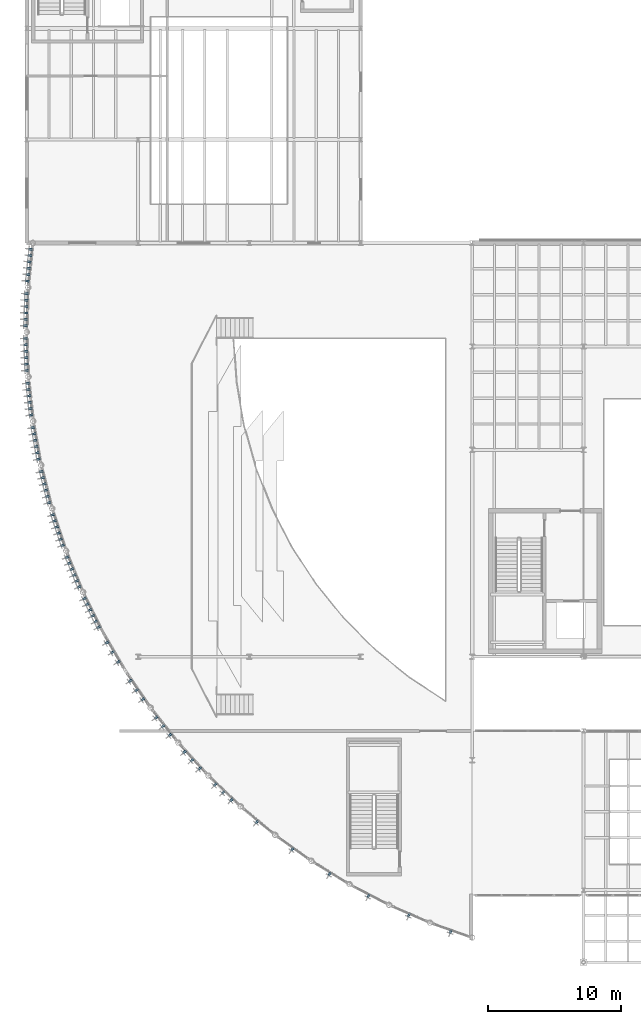
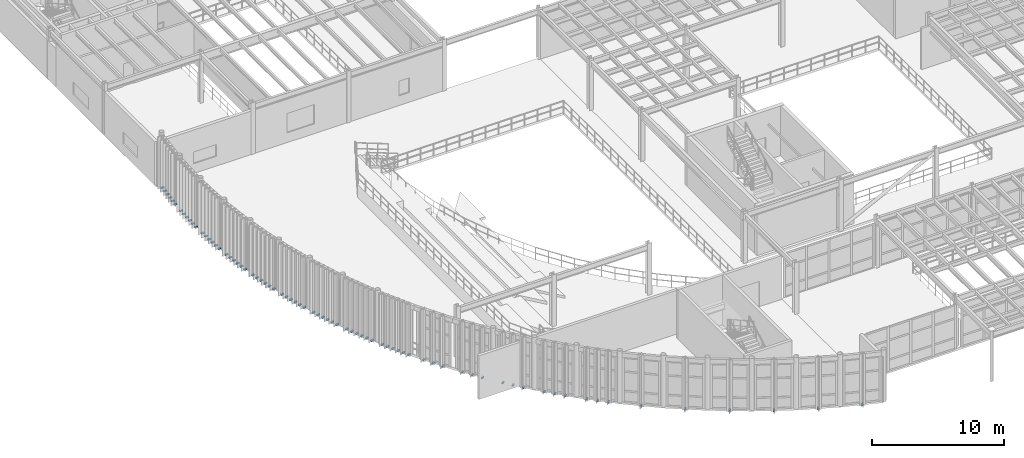
# One storey, part 94 of 105: 75 discrete accessories.
"""IFC4 building model written with IfcOpenShell, lengths in metres."""

from ifc_helpers import new_model, si_unit, direction, frame, origin, origin_2d, place, context, subcontext, project, spatial, rectangle, extrude, material, type_object, element, save


model = new_model("IFC4")

# Units and contexts
model_context = context("Model", 3, precision=1e-05, world=origin(), true_north=direction((0.0, 1.0)))
body_context = subcontext(model_context, "Body", "Model", "MODEL_VIEW")
ifc_project = project(units=[si_unit("LENGTHUNIT", "METRE"), si_unit("AREAUNIT", "SQUARE_METRE"), si_unit("VOLUMEUNIT", "CUBIC_METRE"), si_unit("PLANEANGLEUNIT", "RADIAN"), si_unit("MASSUNIT", "GRAM", prefix="KILO")], contexts=[model_context])

# Site, building, storey
site_placement = place(None, origin())
site = spatial("IfcSite", under=ifc_project, at=site_placement, CompositionType="ELEMENT")
building_placement = place(site_placement, origin())
building = spatial("IfcBuilding", under=site, at=building_placement, Name="Selat Folded Stagehouse", CompositionType="ELEMENT")
storey_placement = place(building_placement, frame((0.0, 0.0, 10.199951171875)))
storey = spatial("IfcBuildingStorey", under=building, at=storey_placement, Name="L02", CompositionType="ELEMENT", Elevation=10.199951171875)

# Discrete accessories
ifc_material = material(Name="Stainless steel 1.4401", Category="steel")
discrete_accessory_type = type_object("IfcDiscreteAccessoryType", Name="ACC-BRK-280x140x110", PredefinedType="BRACKET", material=ifc_material)
for number, where, z_axis, x_axis, name in (
    (1, (0.28759765625, 54.13671875, -0.134765625), (0.0, 0.0, 1.0), (-0.991827775753, 0.127583945876, 0.0), "L02 solar fin slab bracket 002"),
    (2, (0.23779296875, 53.656494140625, -0.134765625), (0.0, 0.0, 1.0), (-0.993068456955, 0.117537397458, 0.0), "L02 solar fin slab bracket 007"),
    (3, (0.1884765625, 53.1767578125, -0.134765625), (0.0, 0.0, 1.0), (-0.994188602291, 0.107652324982, 0.0), "L02 solar fin slab bracket 012"),
    (4, (0.138916015625, 52.69677734375, -0.134765625), (0.0, 0.0, 1.0), (-0.995227399982, 0.097582899759, 0.0), "L02 solar fin slab bracket 017"),
    (5, (0.08935546875, 52.216796875, -0.134765625), (0.0, 0.0, 1.0), (-0.996148926897, 0.087677337101, 0.0), "L02 solar fin slab bracket 022"),
    (6, (0.039794921875, 51.73681640625, -0.134765625), (0.0, 0.0, 1.0), (-0.996971865568, 0.077763097071, 0.0), "L02 solar fin slab bracket 027"),
    (7, (-0.025390625, 50.774658203125, -0.134765625), (0.0, 0.0, 1.0), (-0.99833175459, 0.0577382696, 0.0), "L02 solar fin slab bracket 033"),
    (8, (-0.041259765625, 50.29248046875, -0.134765625), (0.0, 0.0, 1.0), (-0.998865073158, 0.047629461744, 0.0), "L02 solar fin slab bracket 039"),
    (9, (-0.056884765625, 49.810302734375, -0.134765625), (0.0, 0.0, 1.0), (-0.999289472641, 0.03769018267, 0.0), "L02 solar fin slab bracket 045"),
    (10, (-0.07275390625, 49.327880859375, -0.134765625), (0.0, 0.0, 1.0), (-0.999619800631, 0.027572707275, 0.0), "L02 solar fin slab bracket 051"),
    (11, (-0.08837890625, 48.845703125, -0.134765625), (0.0, 0.0, 1.0), (-0.999844633908, 0.017626912514, 0.0), "L02 solar fin slab bracket 057"),
    (12, (-0.104248046875, 48.363525390625, -0.134765625), (0.0, 0.0, 1.0), (-0.999971838252, 0.007504845333, 0.0), "L02 solar fin slab bracket 063"),
    (13, (-0.101806640625, 47.399169921875, -0.134765625), (0.0, 0.0, 1.0), (-0.999921044204, -0.012566039883, 0.0), "L02 solar fin slab bracket 069"),
    (14, (-0.083740234375, 46.9169921875, -0.134765625), (0.0, 0.0, 1.0), (-0.999746553782, -0.022512845226, 0.0), "L02 solar fin slab bracket 075"),
    (15, (-0.065673828125, 46.434814453125, -0.134765625), (0.0, 0.0, 1.0), (-0.999467438949, -0.032631862958, 0.0), "L02 solar fin slab bracket 081"),
    (16, (-0.04736328125, 45.95263671875, -0.134765625), (0.0, 0.0, 1.0), (-0.9990933519, -0.042573162788, 0.0), "L02 solar fin slab bracket 087"),
    (17, (-0.029296875, 45.470703125, -0.134765625), (0.0, 0.0, 1.0), (-0.998620385197, -0.052510249179, 0.0), "L02 solar fin slab bracket 093"),
    (18, (-0.01123046875, 44.98828125, -0.134765625), (0.0, 0.0, 1.0), (-0.99803767224, -0.06261633005, 0.0), "L02 solar fin slab bracket 099"),
    (19, (0.058837890625, 44.026611328125, -0.134765625), (0.0, 0.0, 1.0), (-0.996579940078, -0.08263427276, 0.0), "L02 solar fin slab bracket 105"),
    (20, (0.11083984375, 43.546875, -0.134765625), (0.0, 0.0, 1.0), (-0.99570856131, -0.092544372783, 0.0), "L02 solar fin slab bracket 111"),
    (21, (0.16259765625, 43.067138671875, -0.134765625), (0.0, 0.0, 1.0), (-0.994720742649, -0.10261892683, 0.0), "L02 solar fin slab bracket 117"),
    (22, (0.214599609375, 42.58740234375, -0.134765625), (0.0, 0.0, 1.0), (-0.993650644295, -0.112509542228, 0.0), "L02 solar fin slab bracket 123"),
    (23, (0.2666015625, 42.10791015625, -0.134765625), (0.0, 0.0, 1.0), (-0.992460828919, -0.122562241583, 0.0), "L02 solar fin slab bracket 129"),
    (24, (0.318359375, 41.628173828125, -0.134765625), (0.0, 0.0, 1.0), (-0.99119244206, -0.13242938799, 0.0), "L02 solar fin slab bracket 135"),
    (25, (0.455810546875, 40.673583984375, -0.134765625), (0.0, 0.0, 1.0), (-0.988334944875, -0.152295885498, 0.0), "L02 solar fin slab bracket 141"),
    (26, (0.541015625, 40.19873046875, -0.134765625), (0.0, 0.0, 1.0), (-0.986770965572, -0.162120515372, 0.0), "L02 solar fin slab bracket 147"),
    (27, (0.62646484375, 39.723876953125, -0.134765625), (0.0, 0.0, 1.0), (-0.985079303862, -0.172101031672, 0.0), "L02 solar fin slab bracket 153"),
    (28, (0.7119140625, 39.248779296875, -0.134765625), (0.0, 0.0, 1.0), (-0.983318459858, -0.181892293686, 0.0), "L02 solar fin slab bracket 159"),
    (29, (0.79736328125, 38.774169921875, -0.134765625), (0.0, 0.0, 1.0), (-0.981426830534, -0.191836848149, 0.0), "L02 solar fin slab bracket 165"),
    (30, (0.8828125, 38.29931640625, -0.134765625), (0.0, 0.0, 1.0), (-0.979469831173, -0.20159079796, 0.0), "L02 solar fin slab bracket 171"),
    (31, (1.086669921875, 37.356689453125, -0.134765625), (0.0, 0.0, 1.0), (-0.975226629909, -0.22120809279, 0.0), "L02 solar fin slab bracket 177"),
    (32, (1.205078125, 36.888916015625, -0.134765625), (0.0, 0.0, 1.0), (-0.972937431695, -0.231068721395, 0.0), "L02 solar fin slab bracket 183"),
    (33, (1.32373046875, 36.421142578125, -0.134765625), (0.0, 0.0, 1.0), (-0.970590565411, -0.240736275485, 0.0), "L02 solar fin slab bracket 189"),
    (34, (1.442138671875, 35.95361328125, -0.134765625), (0.0, 0.0, 1.0), (-0.968103926078, -0.25054897388, 0.0), "L02 solar fin slab bracket 195"),
    (35, (1.560791015625, 35.48583984375, -0.134765625), (0.0, 0.0, 1.0), (-0.965563505285, -0.260167479254, 0.0), "L02 solar fin slab bracket 201"),
    (36, (1.67919921875, 35.01806640625, -0.134765625), (0.0, 0.0, 1.0), (-0.962880426559, -0.26992829446, 0.0), "L02 solar fin slab bracket 207"),
    (37, (1.94873046875, 34.092041015625, -0.134765625), (0.0, 0.0, 1.0), (-0.957319497532, -0.289031796944, 0.0), "L02 solar fin slab bracket 213"),
    (38, (2.099853515625, 33.6337890625, -0.134765625), (0.0, 0.0, 1.0), (-0.954344655307, -0.298707681332, 0.0), "L02 solar fin slab bracket 219"),
    (39, (2.250732421875, 33.175537109375, -0.134765625), (0.0, 0.0, 1.0), (-0.951325822325, -0.308186923436, 0.0), "L02 solar fin slab bracket 225"),
    (40, (2.40185546875, 32.71728515625, -0.134765625), (0.0, 0.0, 1.0), (-0.94815738489, -0.317801153992, 0.0), "L02 solar fin slab bracket 231"),
    (41, (2.552978515625, 32.259033203125, -0.134765625), (0.0, 0.0, 1.0), (-0.944948912158, -0.327217898979, 0.0), "L02 solar fin slab bracket 237"),
    (42, (2.7041015625, 31.80078125, -0.134765625), (0.0, 0.0, 1.0), (-0.941588155895, -0.336766602676, 0.0), "L02 solar fin slab bracket 243"),
    (43, (3.037841796875, 30.89599609375, -0.134765625), (0.0, 0.0, 1.0), (-0.93463961469, -0.355596387288, 0.0), "L02 solar fin slab bracket 249"),
    (44, (3.220703125, 30.44970703125, -0.134765625), (0.0, 0.0, 1.0), (-0.931055815863, -0.364876784338, 0.0), "L02 solar fin slab bracket 255"),
    (45, (3.4033203125, 30.003173828125, -0.134765625), (0.0, 0.0, 1.0), (-0.927314560446, -0.374282922379, 0.0), "L02 solar fin slab bracket 261"),
    (46, (3.586181640625, 29.556640625, -0.134765625), (0.0, 0.0, 1.0), (-0.923545226472, -0.383489523534, 0.0), "L02 solar fin slab bracket 267"),
    (47, (3.76904296875, 29.110107421875, -0.134765625), (0.0, 0.0, 1.0), (-0.91961594401, -0.392818680211, 0.0), "L02 solar fin slab bracket 273"),
    (48, (3.951904296875, 28.66357421875, -0.134765625), (0.0, 0.0, 1.0), (-0.91566259334, -0.401947776656, 0.0), "L02 solar fin slab bracket 279"),
    (49, (4.348388671875, 27.784423828125, -0.134765625), (0.0, 0.0, 1.0), (-0.907411091929, -0.420244107924, 0.0), "L02 solar fin slab bracket 285"),
    (50, (4.56201171875, 27.351806640625, -0.134765625), (0.0, 0.0, 1.0), (-0.903185511225, -0.429250430767, 0.0), "L02 solar fin slab bracket 291"),
    (51, (4.775634765625, 26.919189453125, -0.134765625), (0.0, 0.0, 1.0), (-0.898794046299, -0.438371146789, 0.0), "L02 solar fin slab bracket 297"),
    (52, (4.9892578125, 26.486572265625, -0.134765625), (0.0, 0.0, 1.0), (-0.89438856037, -0.447290848419, 0.0), "L02 solar fin slab bracket 303"),
    (53, (5.202880859375, 26.053955078125, -0.134765625), (0.0, 0.0, 1.0), (-0.889814927768, -0.4563215909, 0.0), "L02 solar fin slab bracket 309"),
    (54, (5.41650390625, 25.621337890625, -0.134765625), (0.0, 0.0, 1.0), (-0.885231311332, -0.465151078077, 0.0), "L02 solar fin slab bracket 315"),
    (55, (6.056396484375, 24.459716796875, -0.134765625), (0.0, 0.0, 1.0), (-0.872069272432, -0.489382451749, 0.0), "L02 solar fin slab bracket 321"),
    (56, (6.482421875, 23.73095703125, -0.134765625), (0.0, 0.0, 1.0), (-0.863307480775, -0.504678307081, 0.0), "L02 solar fin slab bracket 327"),
    (57, (6.90869140625, 23.001953125, -0.134765625), (0.0, 0.0, 1.0), (-0.854368143929, -0.519668235165, 0.0), "L02 solar fin slab bracket 333"),
    (58, (7.810791015625, 21.57568359375, -0.134765625), (0.0, 0.0, 1.0), (-0.835615665335, -0.549314536351, 0.0), "L02 solar fin slab bracket 339"),
    (59, (8.287109375, 20.87841796875, -0.134765625), (0.0, 0.0, 1.0), (-0.82580311972, -0.563958515726, 0.0), "L02 solar fin slab bracket 345"),
    (60, (8.76318359375, 20.18115234375, -0.134765625), (0.0, 0.0, 1.0), (-0.815733970499, -0.578427255041, 0.0), "L02 solar fin slab bracket 351"),
    (61, (9.763427734375, 18.82177734375, -0.134765625), (0.0, 0.0, 1.0), (-0.794944353388, -0.606682351002, 0.0), "L02 solar fin slab bracket 357"),
    (62, (10.287353515625, 18.15966796875, -0.134765625), (0.0, 0.0, 1.0), (-0.784235212544, -0.620463642292, 0.0), "L02 solar fin slab bracket 363"),
    (63, (10.811279296875, 17.49755859375, -0.134765625), (0.0, 0.0, 1.0), (-0.773176510644, -0.634190888762, 0.0), "L02 solar fin slab bracket 369"),
    (64, (11.904296875, 16.211669921875, -0.134765625), (0.0, 0.0, 1.0), (-0.750457228874, -0.660919017453, 0.0), "L02 solar fin slab bracket 375"),
    (65, (12.473388671875, 15.587890625, -0.134765625), (0.0, 0.0, 1.0), (-0.738690671568, -0.674044576967, 0.0), "L02 solar fin slab bracket 381"),
    (66, (13.04248046875, 14.964111328125, -0.134765625), (0.0, 0.0, 1.0), (-0.726814465487, -0.686833846544, 0.0), "L02 solar fin slab bracket 387"),
    (67, (14.222900390625, 13.758056640625, -0.134765625), (0.0, 0.0, 1.0), (-0.702277314289, -0.711903486321, 0.0), "L02 solar fin slab bracket 393"),
    (68, (14.83447265625, 13.17578125, -0.134765625), (0.0, 0.0, 1.0), (-0.689619543736, -0.724171861437, 0.0), "L02 solar fin slab bracket 399"),
    (69, (15.44580078125, 12.59326171875, -0.134765625), (0.0, 0.0, 1.0), (-0.676875969683, -0.73609708712, 0.0), "L02 solar fin slab bracket 405"),
    (70, (17.35888671875, 10.93505859375, -0.134765625), (0.0, 0.0, 1.0), (-0.63715499106, -0.770735698776, 0.0), "L02 solar fin slab bracket 411"),
    (71, (20.0341796875, 8.877197265625, -0.134765625), (0.0, 0.0, 1.0), (-0.581555176926, -0.813506961366, 0.0), "L02 solar fin slab bracket 415"),
    (72, (22.847412109375, 7.01171875, -0.134765625), (0.0, 0.0, 1.0), (-0.523093692466, -0.852275183789, 0.0), "L02 solar fin slab bracket 419"),
    (73, (25.784423828125, 5.348388671875, -0.134765625), (0.0, 0.0, 1.0), (-0.461903418797, -0.886930229333, 0.0), "L02 solar fin slab bracket 423"),
    (74, (28.830810546875, 3.895263671875, -0.134765625), (0.0, 0.0, 1.0), (-0.398589005675, -0.917129655259, 0.0), "L02 solar fin slab bracket 427"),
    (75, (31.9716796875, 2.6591796875, -0.134765625), (0.0, 0.0, 1.0), (-0.333313247568, -0.942816142732, 0.0), "L02 solar fin slab bracket 431"),
):
    element("IfcDiscreteAccessory", number, at=place(storey_placement, frame(where, z_axis=z_axis, x_axis=x_axis)), inside=storey, type_object=discrete_accessory_type, Name=name, PredefinedType="BRACKET", context=body_context, shape_type="SweptSolid", body=[
        extrude(rectangle(XDim=0.280029296875, YDim=0.139892578125, at=origin_2d()), origin(), (0.0, 0.0, 1.0), 0.110107421875),
    ])

save(model, "model.ifc")
